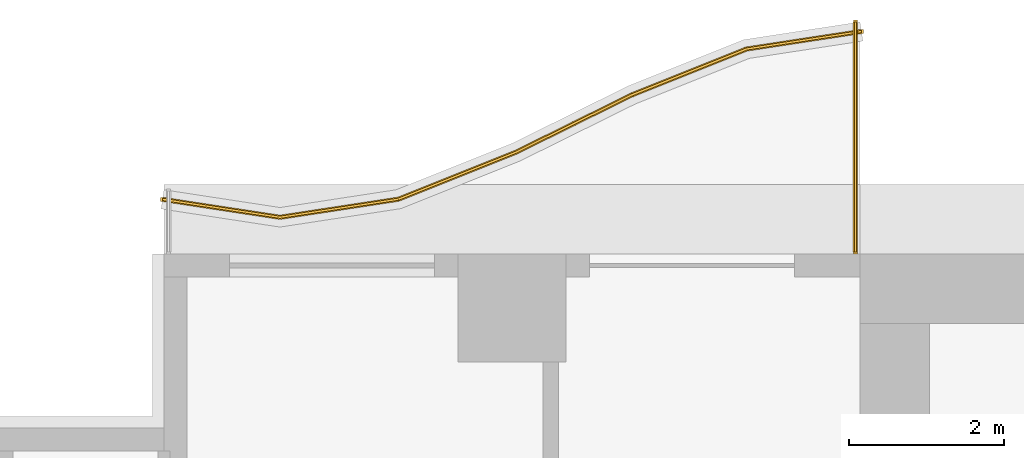
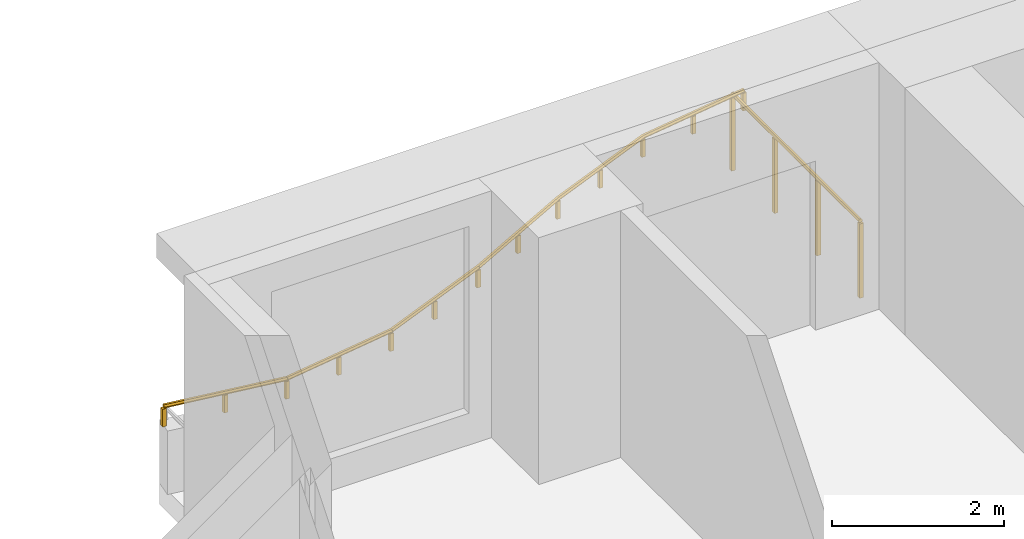
# One storey, part 12 of 13: 2 railings.
"""IFC4 building model written with IfcOpenShell, lengths in metres."""

import ifcopenshell
import ifcopenshell.guid

model = None  # the IFC model being written
_history = None  # IfcOwnerHistory: only IFC2X3 demands one
_inside = {}  # id of a spatial element -> (the spatial element, [elements in it])
_under = {}  # id of a project, library or spatial element -> (it, [spatial elements below it])
_declared = {}  # id of a project -> (the project, [libraries it declares])
_typed = {}  # id of a type object -> (the type object, [elements of that type])
_made_of = {}  # id of a material, layer set ... -> (it, [elements and type objects made of it])


def new_model(schema):
    """Start an empty IFC model of exactly this schema.

    Asked for "IFC4X3", IfcOpenShell would pick the latest addendum, in which some entities
    have other attributes; the version numbers below select the first issue.
    IFC2X3 requires an IfcOwnerHistory on every rooted entity: one is made here for all.
    """
    global model, _history
    if schema == "IFC4X3":
        model = ifcopenshell.file(schema_version=(4, 3, 0, 0))
    else:
        model = ifcopenshell.file(schema=schema)
    _inside.clear()
    _under.clear()
    _declared.clear()
    _typed.clear()
    _made_of.clear()
    _history = None
    if model.schema == "IFC2X3":
        org = make("IfcOrganization", Name="unknown")
        user = make(
            "IfcPersonAndOrganization",
            ThePerson=make("IfcPerson", FamilyName="unknown"),
            TheOrganization=org,
        )
        app = make(
            "IfcApplication",
            ApplicationDeveloper=org,
            Version="unknown",
            ApplicationFullName="unknown",
            ApplicationIdentifier="unknown",
        )
        _history = make(
            "IfcOwnerHistory",
            OwningUser=user,
            OwningApplication=app,
            ChangeAction="ADDED",
            CreationDate=0,
        )
    return model


def make(cls, **values):
    """One entity of the class cls with the attributes given. An attribute that is None is left unset."""
    return model.create_entity(
        cls, **{name: value for name, value in values.items() if value is not None}
    )


def rooted(cls, **values):
    """An entity with a GlobalId (a new one), such as an element, a storey or a relation."""
    return make(cls, GlobalId=ifcopenshell.guid.new(), OwnerHistory=_history, **values)


def si_unit(unit_type, name, prefix=None):
    """IfcSIUnit, for example si_unit("LENGTHUNIT", "METRE", prefix="MILLI")."""
    return make("IfcSIUnit", UnitType=unit_type, Prefix=prefix, Name=name)


def assignment(units):
    """IfcUnitAssignment: the units of a project."""
    return None if units is None else make("IfcUnitAssignment", Units=units)


def point(xyz):
    """IfcCartesianPoint."""
    return None if xyz is None else make("IfcCartesianPoint", Coordinates=xyz)


def direction(xyz):
    """IfcDirection."""
    return None if xyz is None else make("IfcDirection", DirectionRatios=xyz)


def frame(location, z_axis=None, x_axis=None):
    """IfcAxis2Placement3D, a coordinate frame: its origin and axes. An axis left out is left unset."""
    return make(
        "IfcAxis2Placement3D",
        Location=point(location),
        Axis=direction(z_axis),
        RefDirection=direction(x_axis),
    )


def frame_2d(location, x_axis=None):
    """IfcAxis2Placement2D, a coordinate frame in the plane: its origin and x axis."""
    return make(
        "IfcAxis2Placement2D", Location=point(location), RefDirection=direction(x_axis)
    )


def origin():
    """The frame at (0, 0, 0) with its axes left unset."""
    return frame((0.0, 0.0, 0.0))


def origin_2d():
    """The frame at (0, 0) in the plane with its x axis left unset."""
    return frame_2d((0.0, 0.0))


def place(relative_to, where):
    """IfcLocalPlacement: puts the frame where relative to a parent placement (None: the world)."""
    return make(
        "IfcLocalPlacement", PlacementRelTo=relative_to, RelativePlacement=where
    )


def context(
    kind, dimensions, precision=None, world=None, true_north=None, identifier=None
):
    """IfcGeometricRepresentationContext, for example the 3D "Model" context."""
    return make(
        "IfcGeometricRepresentationContext",
        ContextIdentifier=identifier,
        ContextType=kind,
        CoordinateSpaceDimension=dimensions,
        Precision=precision,
        WorldCoordinateSystem=world,
        TrueNorth=true_north,
    )


def subcontext(parent, identifier, kind, view, scale=None):
    """IfcGeometricRepresentationSubContext, for example "Body" below "Model"."""
    return make(
        "IfcGeometricRepresentationSubContext",
        ContextIdentifier=identifier,
        ContextType=kind,
        ParentContext=parent,
        TargetScale=scale,
        TargetView=view,
    )


def project(units=None, contexts=None):
    """IfcProject with its units and contexts."""
    return rooted(
        "IfcProject",
        Name="project",
        RepresentationContexts=contexts,
        UnitsInContext=assignment(units),
    )


def spatial(cls, under=None, at=None, **own):
    """A site, building, storey or space (cls), placed at a placement, below another one or the project."""
    s = rooted(cls, ObjectPlacement=at, **own)
    if under is not None:
        _under.setdefault(under.id(), (under, []))[1].append(s)
    return s


def polyline(points):
    """IfcPolyline through the points."""
    return make("IfcPolyline", Points=[point(p) for p in points])


def profile(cls, at=None, kind="AREA", **sizes):
    """A parametric profile (cls). Its sizes go by their IFC names, for example OverallWidth=200.0."""
    return make(cls, ProfileType=kind, Position=at, **sizes)


def rectangle(**sizes):
    """IfcRectangleProfileDef."""
    return profile("IfcRectangleProfileDef", **sizes)


def outline(outer, holes=None, kind="AREA"):
    """IfcArbitraryClosedProfileDef: a profile drawn as a closed curve; with holes, ...WithVoids."""
    if holes is None:
        return make("IfcArbitraryClosedProfileDef", ProfileType=kind, OuterCurve=outer)
    return make(
        "IfcArbitraryProfileDefWithVoids",
        ProfileType=kind,
        OuterCurve=outer,
        InnerCurves=holes,
    )


def extrude(swept, where, along, depth):
    """IfcExtrudedAreaSolid: the profile swept, set in the frame where, extruded along a direction by depth."""
    return make(
        "IfcExtrudedAreaSolid",
        SweptArea=swept,
        Position=where,
        ExtrudedDirection=direction(along),
        Depth=depth,
    )


def shape(context_of_items, identifier, shape_type, items):
    """IfcShapeRepresentation: the items that make up one representation, for example the "Body"."""
    return make(
        "IfcShapeRepresentation",
        ContextOfItems=context_of_items,
        RepresentationIdentifier=identifier,
        RepresentationType=shape_type,
        Items=items,
    )


def material(Name=None, Category=None):
    """IfcMaterial."""
    return make("IfcMaterial", Name=Name, Category=Category)


def made_of(thing, what):
    """Note that an element or type object is made of a material, layer set ...; save() writes the relation."""
    if what is not None:
        _made_of.setdefault(what.id(), (what, []))[1].append(thing)
    return thing


def type_object(cls, material=None, **own):
    """A type object (cls), such as IfcWallType, which elements share."""
    return made_of(rooted(cls, **own), material)


def element(
    cls,
    number,
    at=None,
    inside=None,
    cuts=None,
    type_object=None,
    material=None,
    context=None,
    identifier="Body",
    shape_type=None,
    held_by="IfcProductDefinitionShape",
    body=None,
    shapes=None,
    **own,
):
    """One element of the class cls, such as IfcWall. Its Tag is "e" and its number.

    at: its placement. inside: the storey or other place that contains it. cuts: it is an
    opening in that element (IfcRelVoidsElement). A single representation is given by context,
    identifier, shape_type and body (its items); several are given by shapes. held_by: the class
    of the entity that holds the representations. save() writes the other relations.
    """
    e = rooted(cls, Tag="e%d" % number, ObjectPlacement=at, **own)
    if body is not None:
        shapes = [shape(context, identifier, shape_type, body)]
    if shapes is not None:
        e.Representation = make(held_by, Representations=shapes)
    if inside is not None:
        _inside.setdefault(inside.id(), (inside, []))[1].append(e)
    if cuts is not None:
        rooted(
            "IfcRelVoidsElement", RelatingBuildingElement=cuts, RelatedOpeningElement=e
        )
    if type_object is not None:
        _typed.setdefault(type_object.id(), (type_object, []))[1].append(e)
    return made_of(e, material)


def aggregate(whole, parts):
    """IfcRelAggregates: a whole, such as a stair, and the parts it consists of."""
    return rooted("IfcRelAggregates", RelatingObject=whole, RelatedObjects=parts)


def save(model, path):
    """Write the relations noted so far, then the file.

    IfcRelAggregates (storeys below a building ...), IfcRelContainedInSpatialStructure (elements
    in a storey), IfcRelDefinesByType, IfcRelAssociatesMaterial and IfcRelDeclares: one each for
    every whole, place, type object, material and project.
    """
    for whole, parts in _under.values():
        aggregate(whole, parts)
    for where, things in _inside.values():
        rooted(
            "IfcRelContainedInSpatialStructure",
            RelatedElements=things,
            RelatingStructure=where,
        )
    for kind, things in _typed.values():
        rooted("IfcRelDefinesByType", RelatedObjects=things, RelatingType=kind)
    for what, things in _made_of.values():
        rooted("IfcRelAssociatesMaterial", RelatedObjects=things, RelatingMaterial=what)
    for by, libraries in _declared.values():
        rooted("IfcRelDeclares", RelatingContext=by, RelatedDefinitions=libraries)
    model.write(path)


model = new_model("IFC4")

# Units and contexts
model_context = context("Model", 3, precision=1e-05, world=origin(), true_north=direction((0.0, 1.0)))
body_context = subcontext(model_context, "Body", "Model", "MODEL_VIEW")
ifc_project = project(units=[si_unit("LENGTHUNIT", "METRE"), si_unit("AREAUNIT", "SQUARE_METRE"), si_unit("VOLUMEUNIT", "CUBIC_METRE"), si_unit("PLANEANGLEUNIT", "RADIAN"), si_unit("MASSUNIT", "GRAM", prefix="KILO")], contexts=[model_context])

# Site, building, storey
site_placement = place(None, origin())
site = spatial("IfcSite", under=ifc_project, at=site_placement, CompositionType="ELEMENT")
building_placement = place(site_placement, origin())
building = spatial("IfcBuilding", under=site, at=building_placement, Name="Orbiselva Terraces", CompositionType="ELEMENT")
storey_placement = place(building_placement, frame((0.0, 0.0, 53.0)))
storey = spatial("IfcBuildingStorey", under=building, at=storey_placement, Name="L13", CompositionType="ELEMENT", Elevation=53.0)

# Railings
ifc_material_1 = material(Name="Bonded two-ply safety glass balustrade, stainless steel posts", Category="steel")
railing_type_1 = type_object("IfcRailingType", Name="ENV-BALUSTRADE-1200", PredefinedType="BALUSTRADE", material=ifc_material_1)
railing_1_placement = place(storey_placement, frame((-13.481121, 25.376434, 0.9)))
element("IfcRailing", 1, at=railing_1_placement, inside=storey, type_object=railing_type_1, Name="Balcony balustrade L13 NW", PredefinedType="BALUSTRADE", context=body_context, shape_type="SweptSolid", body=[
    extrude(outline(polyline([(0.028868, 0.0), (0.014434, 0.025), (-0.014434, 0.025), (-0.028868, 0.0), (-0.014434, -0.025), (0.014434, -0.025), (0.028868, 0.0)])), frame((0.0, 0.0, 0.275), z_axis=(-0.988528552748, -0.151034103443, 0.0), x_axis=(0.151034103443, -0.988528552748, 0.0)), (0.0, 0.0, 1.0), 1.503038),
    extrude(outline(polyline([(0.028868, 0.0), (0.014434, 0.025), (-0.014434, 0.025), (-0.028868, 0.0), (-0.014434, -0.025), (0.014434, -0.025), (0.028868, 0.0)])), frame((-1.485796, -0.22701, 0.275), z_axis=(-0.928476561272, -0.371391000387, 0.0), x_axis=(0.371391000387, -0.928476561272, 0.0)), (0.0, 0.0, 1.0), 1.596261),
    extrude(outline(polyline([(0.028868, 0.0), (0.014434, 0.025), (-0.014434, 0.025), (-0.028868, 0.0), (-0.014434, -0.025), (0.014434, -0.025), (0.028868, 0.0)])), frame((-2.967887, -0.819847, 0.275), z_axis=(-0.896416672454, -0.443212307306, 0.0), x_axis=(0.443212307306, -0.896416672454, 0.0)), (0.0, 0.0, 1.0), 1.673329),
    extrude(outline(polyline([(0.028868, 0.0), (0.014434, 0.025), (-0.014434, 0.025), (-0.028868, 0.0), (-0.014434, -0.025), (0.014434, -0.025), (0.028868, 0.0)])), frame((-4.467887, -1.561487, 0.275), z_axis=(-0.92847681744, -0.371390359967, 0.0), x_axis=(0.371390359967, -0.92847681744, 0.0)), (0.0, 0.0, 1.0), 1.634838),
    extrude(outline(polyline([(0.028868, 0.0), (0.014434, 0.025), (-0.014434, 0.025), (-0.028868, 0.0), (-0.014434, -0.025), (0.014434, -0.025), (0.028868, 0.0)])), frame((-5.985796, -2.16865, 0.275), z_axis=(-0.988528536275, -0.151034211256, 0.0), x_axis=(0.151034211256, -0.988528536275, 0.0)), (0.0, 0.0, 1.0), 1.550874),
    extrude(outline(polyline([(0.028868, 0.0), (0.014434, 0.025), (-0.014434, 0.025), (-0.028868, 0.0), (-0.014434, -0.025), (0.014434, -0.025), (0.028868, 0.0)])), frame((-7.518879, -2.402885, 0.275), z_axis=(-0.988528518286, 0.151034328999, 0.0), x_axis=(-0.151034328999, -0.988528518286, 0.0)), (0.0, 0.0, 1.0), 1.536505),
    extrude(rectangle(XDim=0.05, YDim=0.05, at=origin_2d()), origin(), (0.0, 0.0, 1.0), 0.25),
    extrude(rectangle(XDim=0.05, YDim=0.05, at=origin_2d()), frame((-0.742898, -0.113505, 0.0)), (0.0, 0.0, 1.0), 0.25),
    extrude(rectangle(XDim=0.05, YDim=0.05, at=origin_2d()), frame((-1.485796, -0.22701, 0.0)), (0.0, 0.0, 1.0), 0.25),
    extrude(rectangle(XDim=0.05, YDim=0.05, at=origin_2d()), frame((-2.226842, -0.523428, 0.0)), (0.0, 0.0, 1.0), 0.25),
    extrude(rectangle(XDim=0.05, YDim=0.05, at=origin_2d()), frame((-2.967887, -0.819847, 0.0)), (0.0, 0.0, 1.0), 0.25),
    extrude(rectangle(XDim=0.05, YDim=0.05, at=origin_2d()), frame((-3.717887, -1.190667, 0.0)), (0.0, 0.0, 1.0), 0.25),
    extrude(rectangle(XDim=0.05, YDim=0.05, at=origin_2d()), frame((-4.467887, -1.561487, 0.0)), (0.0, 0.0, 1.0), 0.25),
    extrude(rectangle(XDim=0.05, YDim=0.05, at=origin_2d()), frame((-5.226841, -1.865068, 0.0)), (0.0, 0.0, 1.0), 0.25),
    extrude(rectangle(XDim=0.05, YDim=0.05, at=origin_2d()), frame((-5.985796, -2.16865, 0.0)), (0.0, 0.0, 1.0), 0.25),
    extrude(rectangle(XDim=0.05, YDim=0.05, at=origin_2d()), frame((-6.752337, -2.285768, 0.0)), (0.0, 0.0, 1.0), 0.25),
    extrude(rectangle(XDim=0.05, YDim=0.05, at=origin_2d()), frame((-7.518879, -2.402885, 0.0)), (0.0, 0.0, 1.0), 0.25),
    extrude(rectangle(XDim=0.05, YDim=0.05, at=origin_2d()), frame((-8.278318, -2.286852, 0.0)), (0.0, 0.0, 1.0), 0.25),
    extrude(rectangle(XDim=0.05, YDim=0.05, at=origin_2d()), frame((-9.037758, -2.17082, 0.0)), (0.0, 0.0, 1.0), 0.25),
])
ifc_material_2 = material(Name="Stainless steel rail and posts", Category="steel")
railing_type_2 = type_object("IfcRailingType", Name="ENV-GUARD-1105", PredefinedType="BALUSTRADE", material=ifc_material_2)
railing_2_placement = place(storey_placement, frame((-13.56, 25.499621, 0.0)))
element("IfcRailing", 2, at=railing_2_placement, inside=storey, type_object=railing_type_2, Name="Balcony end guard L13 NW", PredefinedType="BALUSTRADE", context=body_context, shape_type="SweptSolid", body=[
    extrude(outline(polyline([(0.028868, 0.0), (0.014434, 0.025), (-0.014434, 0.025), (-0.028868, 0.0), (-0.014434, -0.025), (0.014434, -0.025), (0.028868, 0.0)])), frame((0.0, 0.0, 1.08), z_axis=(0.0, -1.0, 0.0), x_axis=(1.0, 0.0, 0.0)), (0.0, 0.0, 1.0), 2.974621),
    extrude(rectangle(XDim=0.05, YDim=0.05, at=origin_2d()), origin(), (0.0, 0.0, 1.0), 1.055),
    extrude(rectangle(XDim=0.05, YDim=0.05, at=origin_2d()), frame((0.0, -0.99154, 0.0)), (0.0, 0.0, 1.0), 1.055),
    extrude(rectangle(XDim=0.05, YDim=0.05, at=origin_2d()), frame((0.0, -1.983081, 0.0)), (0.0, 0.0, 1.0), 1.055),
    extrude(rectangle(XDim=0.05, YDim=0.05, at=origin_2d()), frame((0.0, -2.974621, 0.0)), (0.0, 0.0, 1.0), 1.055),
])

save(model, "model.ifc")
